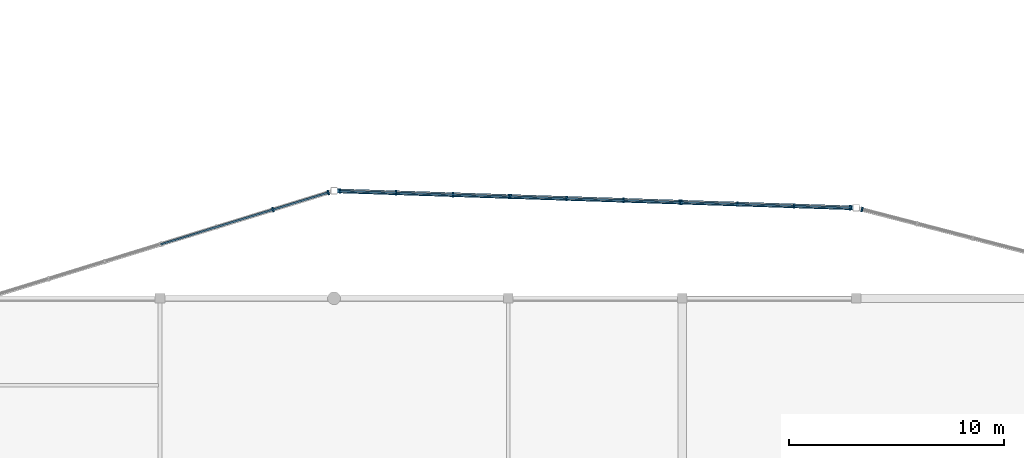
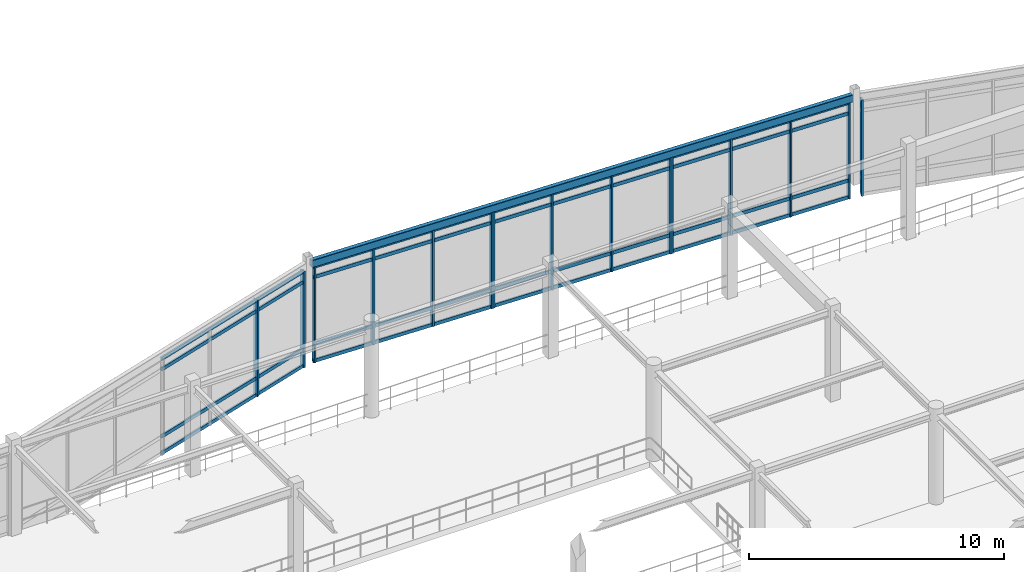
# One storey, part 30 of 93: 31 members, 1 beam, 5 elements without a shape of their own.
"""IFC4 building model written with IfcOpenShell, lengths in metres."""

import ifcopenshell
import ifcopenshell.guid

model = None  # the IFC model being written
_history = None  # IfcOwnerHistory: only IFC2X3 demands one
_inside = {}  # id of a spatial element -> (the spatial element, [elements in it])
_under = {}  # id of a project, library or spatial element -> (it, [spatial elements below it])
_declared = {}  # id of a project -> (the project, [libraries it declares])
_typed = {}  # id of a type object -> (the type object, [elements of that type])
_made_of = {}  # id of a material, layer set ... -> (it, [elements and type objects made of it])


def new_model(schema):
    """Start an empty IFC model of exactly this schema.

    Asked for "IFC4X3", IfcOpenShell would pick the latest addendum, in which some entities
    have other attributes; the version numbers below select the first issue.
    IFC2X3 requires an IfcOwnerHistory on every rooted entity: one is made here for all.
    """
    global model, _history
    if schema == "IFC4X3":
        model = ifcopenshell.file(schema_version=(4, 3, 0, 0))
    else:
        model = ifcopenshell.file(schema=schema)
    _inside.clear()
    _under.clear()
    _declared.clear()
    _typed.clear()
    _made_of.clear()
    _history = None
    if model.schema == "IFC2X3":
        org = make("IfcOrganization", Name="unknown")
        user = make(
            "IfcPersonAndOrganization",
            ThePerson=make("IfcPerson", FamilyName="unknown"),
            TheOrganization=org,
        )
        app = make(
            "IfcApplication",
            ApplicationDeveloper=org,
            Version="unknown",
            ApplicationFullName="unknown",
            ApplicationIdentifier="unknown",
        )
        _history = make(
            "IfcOwnerHistory",
            OwningUser=user,
            OwningApplication=app,
            ChangeAction="ADDED",
            CreationDate=0,
        )
    return model


def make(cls, **values):
    """One entity of the class cls with the attributes given. An attribute that is None is left unset."""
    return model.create_entity(
        cls, **{name: value for name, value in values.items() if value is not None}
    )


def rooted(cls, **values):
    """An entity with a GlobalId (a new one), such as an element, a storey or a relation."""
    return make(cls, GlobalId=ifcopenshell.guid.new(), OwnerHistory=_history, **values)


def si_unit(unit_type, name, prefix=None):
    """IfcSIUnit, for example si_unit("LENGTHUNIT", "METRE", prefix="MILLI")."""
    return make("IfcSIUnit", UnitType=unit_type, Prefix=prefix, Name=name)


def assignment(units):
    """IfcUnitAssignment: the units of a project."""
    return None if units is None else make("IfcUnitAssignment", Units=units)


def point(xyz):
    """IfcCartesianPoint."""
    return None if xyz is None else make("IfcCartesianPoint", Coordinates=xyz)


def direction(xyz):
    """IfcDirection."""
    return None if xyz is None else make("IfcDirection", DirectionRatios=xyz)


def frame(location, z_axis=None, x_axis=None):
    """IfcAxis2Placement3D, a coordinate frame: its origin and axes. An axis left out is left unset."""
    return make(
        "IfcAxis2Placement3D",
        Location=point(location),
        Axis=direction(z_axis),
        RefDirection=direction(x_axis),
    )


def frame_2d(location, x_axis=None):
    """IfcAxis2Placement2D, a coordinate frame in the plane: its origin and x axis."""
    return make(
        "IfcAxis2Placement2D", Location=point(location), RefDirection=direction(x_axis)
    )


def origin():
    """The frame at (0, 0, 0) with its axes left unset."""
    return frame((0.0, 0.0, 0.0))


def origin_2d():
    """The frame at (0, 0) in the plane with its x axis left unset."""
    return frame_2d((0.0, 0.0))


def place(relative_to, where):
    """IfcLocalPlacement: puts the frame where relative to a parent placement (None: the world)."""
    return make(
        "IfcLocalPlacement", PlacementRelTo=relative_to, RelativePlacement=where
    )


def context(
    kind, dimensions, precision=None, world=None, true_north=None, identifier=None
):
    """IfcGeometricRepresentationContext, for example the 3D "Model" context."""
    return make(
        "IfcGeometricRepresentationContext",
        ContextIdentifier=identifier,
        ContextType=kind,
        CoordinateSpaceDimension=dimensions,
        Precision=precision,
        WorldCoordinateSystem=world,
        TrueNorth=true_north,
    )


def subcontext(parent, identifier, kind, view, scale=None):
    """IfcGeometricRepresentationSubContext, for example "Body" below "Model"."""
    return make(
        "IfcGeometricRepresentationSubContext",
        ContextIdentifier=identifier,
        ContextType=kind,
        ParentContext=parent,
        TargetScale=scale,
        TargetView=view,
    )


def project(units=None, contexts=None):
    """IfcProject with its units and contexts."""
    return rooted(
        "IfcProject",
        Name="project",
        RepresentationContexts=contexts,
        UnitsInContext=assignment(units),
    )


def spatial(cls, under=None, at=None, **own):
    """A site, building, storey or space (cls), placed at a placement, below another one or the project."""
    s = rooted(cls, ObjectPlacement=at, **own)
    if under is not None:
        _under.setdefault(under.id(), (under, []))[1].append(s)
    return s


def profile(cls, at=None, kind="AREA", **sizes):
    """A parametric profile (cls). Its sizes go by their IFC names, for example OverallWidth=200.0."""
    return make(cls, ProfileType=kind, Position=at, **sizes)


def rectangle(**sizes):
    """IfcRectangleProfileDef."""
    return profile("IfcRectangleProfileDef", **sizes)


def hollow_rectangle(**sizes):
    """IfcRectangleHollowProfileDef."""
    return profile("IfcRectangleHollowProfileDef", **sizes)


def extrude(swept, where, along, depth):
    """IfcExtrudedAreaSolid: the profile swept, set in the frame where, extruded along a direction by depth."""
    return make(
        "IfcExtrudedAreaSolid",
        SweptArea=swept,
        Position=where,
        ExtrudedDirection=direction(along),
        Depth=depth,
    )


def shape(context_of_items, identifier, shape_type, items):
    """IfcShapeRepresentation: the items that make up one representation, for example the "Body"."""
    return make(
        "IfcShapeRepresentation",
        ContextOfItems=context_of_items,
        RepresentationIdentifier=identifier,
        RepresentationType=shape_type,
        Items=items,
    )


def material(Name=None, Category=None):
    """IfcMaterial."""
    return make("IfcMaterial", Name=Name, Category=Category)


def layer(
    of_material, thickness, ventilated=None, Name=None, Category=None, Priority=None
):
    """IfcMaterialLayer: one layer of a wall or slab, of a material (None: an air gap)."""
    return make(
        "IfcMaterialLayer",
        Material=of_material,
        LayerThickness=thickness,
        IsVentilated=ventilated,
        Name=Name,
        Category=Category,
        Priority=Priority,
    )


def layer_set(layers, Name=None):
    """IfcMaterialLayerSet."""
    return make("IfcMaterialLayerSet", MaterialLayers=layers, LayerSetName=Name)


def material_profile(
    of_material, cross_section, Name=None, Category=None, Priority=None
):
    """IfcMaterialProfile: a cross section and its material."""
    return make(
        "IfcMaterialProfile",
        Name=Name,
        Material=of_material,
        Profile=cross_section,
        Priority=Priority,
        Category=Category,
    )


def profile_set(profiles, Name=None, composite=None):
    """IfcMaterialProfileSet."""
    return make(
        "IfcMaterialProfileSet",
        Name=Name,
        MaterialProfiles=profiles,
        CompositeProfile=composite,
    )


def made_of(thing, what):
    """Note that an element or type object is made of a material, layer set ...; save() writes the relation."""
    if what is not None:
        _made_of.setdefault(what.id(), (what, []))[1].append(thing)
    return thing


def type_object(cls, material=None, **own):
    """A type object (cls), such as IfcWallType, which elements share."""
    return made_of(rooted(cls, **own), material)


def element(
    cls,
    number,
    at=None,
    inside=None,
    cuts=None,
    type_object=None,
    material=None,
    context=None,
    identifier="Body",
    shape_type=None,
    held_by="IfcProductDefinitionShape",
    body=None,
    shapes=None,
    **own,
):
    """One element of the class cls, such as IfcWall. Its Tag is "e" and its number.

    at: its placement. inside: the storey or other place that contains it. cuts: it is an
    opening in that element (IfcRelVoidsElement). A single representation is given by context,
    identifier, shape_type and body (its items); several are given by shapes. held_by: the class
    of the entity that holds the representations. save() writes the other relations.
    """
    e = rooted(cls, Tag="e%d" % number, ObjectPlacement=at, **own)
    if body is not None:
        shapes = [shape(context, identifier, shape_type, body)]
    if shapes is not None:
        e.Representation = make(held_by, Representations=shapes)
    if inside is not None:
        _inside.setdefault(inside.id(), (inside, []))[1].append(e)
    if cuts is not None:
        rooted(
            "IfcRelVoidsElement", RelatingBuildingElement=cuts, RelatedOpeningElement=e
        )
    if type_object is not None:
        _typed.setdefault(type_object.id(), (type_object, []))[1].append(e)
    return made_of(e, material)


def aggregate(whole, parts):
    """IfcRelAggregates: a whole, such as a stair, and the parts it consists of."""
    return rooted("IfcRelAggregates", RelatingObject=whole, RelatedObjects=parts)


def save(model, path):
    """Write the relations noted so far, then the file.

    IfcRelAggregates (storeys below a building ...), IfcRelContainedInSpatialStructure (elements
    in a storey), IfcRelDefinesByType, IfcRelAssociatesMaterial and IfcRelDeclares: one each for
    every whole, place, type object, material and project.
    """
    for whole, parts in _under.values():
        aggregate(whole, parts)
    for where, things in _inside.values():
        rooted(
            "IfcRelContainedInSpatialStructure",
            RelatedElements=things,
            RelatingStructure=where,
        )
    for kind, things in _typed.values():
        rooted("IfcRelDefinesByType", RelatedObjects=things, RelatingType=kind)
    for what, things in _made_of.values():
        rooted("IfcRelAssociatesMaterial", RelatedObjects=things, RelatingMaterial=what)
    for by, libraries in _declared.values():
        rooted("IfcRelDeclares", RelatingContext=by, RelatedDefinitions=libraries)
    model.write(path)


model = new_model("IFC4")

# Units and contexts
model_context = context("Model", 3, precision=1e-05, world=origin(), true_north=direction((0.0, 1.0)))
body_context = subcontext(model_context, "Body", "Model", "MODEL_VIEW")
ifc_project = project(units=[si_unit("LENGTHUNIT", "METRE"), si_unit("AREAUNIT", "SQUARE_METRE"), si_unit("VOLUMEUNIT", "CUBIC_METRE"), si_unit("PLANEANGLEUNIT", "RADIAN"), si_unit("MASSUNIT", "GRAM", prefix="KILO")], contexts=[model_context])

# Site, building, storey
site_placement = place(None, origin())
site = spatial("IfcSite", under=ifc_project, at=site_placement, CompositionType="ELEMENT")
building_placement = place(site_placement, origin())
building = spatial("IfcBuilding", under=site, at=building_placement, Name="Vaudrelin Polytechnic", CompositionType="ELEMENT")
storey_placement = place(building_placement, frame((0.0, 0.0, 5.10009765625)))
storey = spatial("IfcBuildingStorey", under=building, at=storey_placement, Name="L01", CompositionType="ELEMENT", Elevation=5.10009765625)

# Beam
ifc_material_1 = material(Name="Steel CSA G40.21 350WT", Category="steel")
ifc_material_profile_1 = material_profile(ifc_material_1, hollow_rectangle(XDim=0.202880859375, YDim=0.35595703125, WallThickness=0.0126953125, InnerFilletRadius=0.0126953125, OuterFilletRadius=0.025390625, at=origin_2d()), Name="HSS356x203x12.7")
ifc_profile_set_1 = profile_set([ifc_material_profile_1], Name="Steel CSA G40.21 350WT")
beam_type = type_object("IfcBeamType", Name="BM-SP-HSS35", PredefinedType="SPANDREL", material=ifc_profile_set_1)
beam_placement = place(storey_placement, frame((73.039794921875, 53.595458984375, 4.1318359375), z_axis=(0.999458543434, -0.032903190688, 0.0), x_axis=(0.032903190688, 0.999458543434, 0.0)))
element("IfcBeam", 1, at=beam_placement, inside=storey, type_object=beam_type, Name="Sculptural edge beam L01 CT_OR1_B2", PredefinedType="SPANDREL", context=body_context, shape_type="SweptSolid", body=[
    extrude(hollow_rectangle(XDim=0.202880859375, YDim=0.35595703125, WallThickness=0.0126953125, InnerFilletRadius=0.0126953125, OuterFilletRadius=0.025390625, at=origin_2d()), origin(), (0.0, 0.0, 1.0), 24.033203125),
])

# Curtain wall, members
ifc_material_2 = material(Name="Thermally broken anodised aluminium AA 6063-T6 and low-e triple glazing", Category="aluminium")
ifc_layer = layer(ifc_material_2, 0.199951171875)
ifc_layer_set = layer_set([ifc_layer], Name="Thermally broken anodised aluminium AA 6063-T6 and low-e triple glazing")
curtain_wall_type = type_object("IfcCurtainWallType", Name="CW-CW-WG", PredefinedType="USERDEFINED", material=ifc_layer_set)
curtain_wall_1_placement = place(storey_placement, origin())
curtain_wall_1 = element("IfcCurtainWall", 2, at=curtain_wall_1_placement, inside=storey, type_object=curtain_wall_type, Name="Curtain wall L01 CT_OR1_1_1", ObjectType="CURTAIN WALL", PredefinedType="USERDEFINED")
ifc_material_3 = material(Name="Anodised aluminium AA 6063-T6", Category="aluminium")
ifc_material_profile_2 = material_profile(ifc_material_3, rectangle(XDim=0.074951171875, YDim=0.219970703125, at=origin_2d()), Name="CWM-75x220")
ifc_profile_set_2 = profile_set([ifc_material_profile_2], Name="Anodised aluminium AA 6063-T6")
member_type_1 = type_object("IfcMemberType", Name="MEM-CWM-220", PredefinedType="MULLION", material=ifc_profile_set_2)
member_1_placement = place(storey_placement, frame((70.056396484375, 52.722412109375, -0.630126953125), z_axis=(0.0, 0.0, 1.0), x_axis=(0.955522441596, 0.294918401608, 0.0)))
member_1 = element("IfcMember", 3, at=member_1_placement, type_object=member_type_1, Name="CT_OR1_1_1 mullion 3", PredefinedType="MULLION", context=body_context, shape_type="SweptSolid", body=[
    extrude(rectangle(XDim=0.074951171875, YDim=0.219970703125, at=origin_2d()), origin(), (0.0, 0.0, 1.0), 4.610107421875),
])
member_2_placement = place(storey_placement, frame((72.628173828125, 53.51611328125, -0.630126953125), z_axis=(0.0, 0.0, 1.0), x_axis=(0.955522441596, 0.294918401608, 0.0)))
member_2 = element("IfcMember", 4, at=member_2_placement, type_object=member_type_1, Name="CT_OR1_1_1 mullion 4", PredefinedType="MULLION", context=body_context, shape_type="SweptSolid", body=[
    extrude(rectangle(XDim=0.074951171875, YDim=0.219970703125, at=origin_2d()), origin(), (0.0, 0.0, 1.0), 4.610107421875),
])

curtain_wall_2_placement = place(storey_placement, origin())
curtain_wall_2 = element("IfcCurtainWall", 5, at=curtain_wall_2_placement, inside=storey, type_object=curtain_wall_type, Name="Curtain wall L01 CT_OR1_2_0", ObjectType="CURTAIN WALL", PredefinedType="USERDEFINED")
member_3_placement = place(storey_placement, frame((73.177490234375, 53.5908203125, -0.630126953125), z_axis=(0.0, 0.0, 1.0), x_axis=(0.999458331652, -0.032909623096, 0.0)))
member_3 = element("IfcMember", 6, at=member_3_placement, type_object=member_type_1, Name="CT_OR1_2_0 mullion 1", PredefinedType="MULLION", context=body_context, shape_type="SweptSolid", body=[
    extrude(rectangle(XDim=0.074951171875, YDim=0.219970703125, at=origin_2d()), origin(), (0.0, 0.0, 1.0), 4.610107421875),
])
member_4_placement = place(storey_placement, frame((75.78466796875, 53.5048828125, -0.630126953125), z_axis=(0.0, 0.0, 1.0), x_axis=(0.999458331652, -0.032909623096, 0.0)))
member_4 = element("IfcMember", 7, at=member_4_placement, type_object=member_type_1, Name="CT_OR1_2_0 mullion 2", PredefinedType="MULLION", context=body_context, shape_type="SweptSolid", body=[
    extrude(rectangle(XDim=0.074951171875, YDim=0.219970703125, at=origin_2d()), origin(), (0.0, 0.0, 1.0), 4.610107421875),
])
member_5_placement = place(storey_placement, frame((78.431884765625, 53.41796875, -0.630126953125), z_axis=(0.0, 0.0, 1.0), x_axis=(0.999458331652, -0.032909623096, 0.0)))
member_5 = element("IfcMember", 8, at=member_5_placement, type_object=member_type_1, Name="CT_OR1_2_0 mullion 3", PredefinedType="MULLION", context=body_context, shape_type="SweptSolid", body=[
    extrude(rectangle(XDim=0.074951171875, YDim=0.219970703125, at=origin_2d()), origin(), (0.0, 0.0, 1.0), 4.610107421875),
])
member_6_placement = place(storey_placement, frame((81.039306640625, 53.33203125, -0.630126953125), z_axis=(0.0, 0.0, 1.0), x_axis=(0.999458331652, -0.032909623096, 0.0)))
member_6 = element("IfcMember", 9, at=member_6_placement, type_object=member_type_1, Name="CT_OR1_2_0 mullion 4", PredefinedType="MULLION", context=body_context, shape_type="SweptSolid", body=[
    extrude(rectangle(XDim=0.074951171875, YDim=0.219970703125, at=origin_2d()), origin(), (0.0, 0.0, 1.0), 4.610107421875),
])

curtain_wall_3_placement = place(storey_placement, origin())
curtain_wall_3 = element("IfcCurtainWall", 10, at=curtain_wall_3_placement, inside=storey, type_object=curtain_wall_type, Name="Curtain wall L01 CT_OR1_2_1", ObjectType="CURTAIN WALL", PredefinedType="USERDEFINED")
member_7_placement = place(storey_placement, frame((81.119140625, 53.329345703125, -0.630126953125), z_axis=(0.0, 0.0, 1.0), x_axis=(0.999458731894, -0.032897465558, 0.0)))
member_7 = element("IfcMember", 11, at=member_7_placement, type_object=member_type_1, Name="CT_OR1_2_1 mullion 1", PredefinedType="MULLION", context=body_context, shape_type="SweptSolid", body=[
    extrude(rectangle(XDim=0.074951171875, YDim=0.219970703125, at=origin_2d()), origin(), (0.0, 0.0, 1.0), 4.610107421875),
])
member_8_placement = place(storey_placement, frame((83.726318359375, 53.24365234375, -0.630126953125), z_axis=(0.0, 0.0, 1.0), x_axis=(0.999458731894, -0.032897465558, 0.0)))
member_8 = element("IfcMember", 12, at=member_8_placement, type_object=member_type_1, Name="CT_OR1_2_1 mullion 2", PredefinedType="MULLION", context=body_context, shape_type="SweptSolid", body=[
    extrude(rectangle(XDim=0.074951171875, YDim=0.219970703125, at=origin_2d()), origin(), (0.0, 0.0, 1.0), 4.610107421875),
])
member_9_placement = place(storey_placement, frame((86.37353515625, 53.156494140625, -0.630126953125), z_axis=(0.0, 0.0, 1.0), x_axis=(0.999458731894, -0.032897465558, 0.0)))
member_9 = element("IfcMember", 13, at=member_9_placement, type_object=member_type_1, Name="CT_OR1_2_1 mullion 3", PredefinedType="MULLION", context=body_context, shape_type="SweptSolid", body=[
    extrude(rectangle(XDim=0.074951171875, YDim=0.219970703125, at=origin_2d()), origin(), (0.0, 0.0, 1.0), 4.610107421875),
])
member_10_placement = place(storey_placement, frame((88.980712890625, 53.070556640625, -0.630126953125), z_axis=(0.0, 0.0, 1.0), x_axis=(0.999458731894, -0.032897465558, 0.0)))
member_10 = element("IfcMember", 14, at=member_10_placement, type_object=member_type_1, Name="CT_OR1_2_1 mullion 4", PredefinedType="MULLION", context=body_context, shape_type="SweptSolid", body=[
    extrude(rectangle(XDim=0.074951171875, YDim=0.219970703125, at=origin_2d()), origin(), (0.0, 0.0, 1.0), 4.610107421875),
])

curtain_wall_4_placement = place(storey_placement, origin())
curtain_wall_4 = element("IfcCurtainWall", 15, at=curtain_wall_4_placement, inside=storey, type_object=curtain_wall_type, Name="Curtain wall L01 CT_OR1_2_2", ObjectType="CURTAIN WALL", PredefinedType="USERDEFINED")
member_11_placement = place(storey_placement, frame((89.060791015625, 53.068115234375, -0.630126953125), z_axis=(0.0, 0.0, 1.0), x_axis=(0.999458331652, -0.032909623096, 0.0)))
member_11 = element("IfcMember", 16, at=member_11_placement, type_object=member_type_1, Name="CT_OR1_2_2 mullion 1", PredefinedType="MULLION", context=body_context, shape_type="SweptSolid", body=[
    extrude(rectangle(XDim=0.074951171875, YDim=0.219970703125, at=origin_2d()), origin(), (0.0, 0.0, 1.0), 4.610107421875),
])
member_12_placement = place(storey_placement, frame((91.66796875, 52.982177734375, -0.630126953125), z_axis=(0.0, 0.0, 1.0), x_axis=(0.999458331652, -0.032909623096, 0.0)))
member_12 = element("IfcMember", 17, at=member_12_placement, type_object=member_type_1, Name="CT_OR1_2_2 mullion 2", PredefinedType="MULLION", context=body_context, shape_type="SweptSolid", body=[
    extrude(rectangle(XDim=0.074951171875, YDim=0.219970703125, at=origin_2d()), origin(), (0.0, 0.0, 1.0), 4.610107421875),
])
member_13_placement = place(storey_placement, frame((94.315185546875, 52.89501953125, -0.630126953125), z_axis=(0.0, 0.0, 1.0), x_axis=(0.999458331652, -0.032909623096, 0.0)))
member_13 = element("IfcMember", 18, at=member_13_placement, type_object=member_type_1, Name="CT_OR1_2_2 mullion 3", PredefinedType="MULLION", context=body_context, shape_type="SweptSolid", body=[
    extrude(rectangle(XDim=0.074951171875, YDim=0.219970703125, at=origin_2d()), origin(), (0.0, 0.0, 1.0), 4.610107421875),
])
member_14_placement = place(storey_placement, frame((96.922607421875, 52.80908203125, -0.630126953125), z_axis=(0.0, 0.0, 1.0), x_axis=(0.999458331652, -0.032909623096, 0.0)))
member_14 = element("IfcMember", 19, at=member_14_placement, type_object=member_type_1, Name="CT_OR1_2_2 mullion 4", PredefinedType="MULLION", context=body_context, shape_type="SweptSolid", body=[
    extrude(rectangle(XDim=0.074951171875, YDim=0.219970703125, at=origin_2d()), origin(), (0.0, 0.0, 1.0), 4.610107421875),
])

# Curtain wall, member
curtain_wall_5_placement = place(storey_placement, origin())
curtain_wall_5 = element("IfcCurtainWall", 20, at=curtain_wall_5_placement, inside=storey, type_object=curtain_wall_type, Name="Curtain wall L01 CT_OR1_3_0", ObjectType="CURTAIN WALL", PredefinedType="USERDEFINED")
member_15_placement = place(storey_placement, frame((97.473388671875, 52.72900390625, -0.630126953125), z_axis=(0.0, 0.0, 1.0), x_axis=(0.967996674598, -0.250963021115, 0.0)))
member_15 = element("IfcMember", 21, at=member_15_placement, type_object=member_type_1, Name="CT_OR1_3_0 mullion 1", PredefinedType="MULLION", context=body_context, shape_type="SweptSolid", body=[
    extrude(rectangle(XDim=0.074951171875, YDim=0.219970703125, at=origin_2d()), origin(), (0.0, 0.0, 1.0), 4.610107421875),
])
aggregate(curtain_wall_5, [member_15])

# Member
ifc_material_profile_3 = material_profile(ifc_material_3, rectangle(XDim=0.074951171875, YDim=0.1650390625, at=origin_2d()), Name="CWT-75x165")
ifc_profile_set_3 = profile_set([ifc_material_profile_3], Name="Anodised aluminium AA 6063-T6")
member_type_2 = type_object("IfcMemberType", Name="MEM-CWT-165", PredefinedType="USERDEFINED", material=ifc_profile_set_3)
member_16_placement = place(storey_placement, frame((64.836181640625, 51.111083984375, -0.580078125), z_axis=(0.955521618533, 0.29492106828, 0.0), x_axis=(-0.29492106828, 0.955521618533, 0.0)))
member_16 = element("IfcMember", 22, at=member_16_placement, type_object=member_type_2, Name="CT_OR1_1_1 transom 1", ObjectType="TRANSOM", PredefinedType="USERDEFINED", context=body_context, shape_type="SweptSolid", body=[
    extrude(rectangle(XDim=0.074951171875, YDim=0.1650390625, at=origin_2d()), origin(), (0.0, 0.0, 1.0), 8.194580078125),
])

member_17_placement = place(storey_placement, frame((64.836181640625, 51.111083984375, 0.219970703125), z_axis=(0.955521618533, 0.29492106828, 0.0), x_axis=(-0.29492106828, 0.955521618533, 0.0)))
member_17 = element("IfcMember", 23, at=member_17_placement, type_object=member_type_2, Name="CT_OR1_1_1 transom 2", ObjectType="TRANSOM", PredefinedType="USERDEFINED", context=body_context, shape_type="SweptSolid", body=[
    extrude(rectangle(XDim=0.074951171875, YDim=0.1650390625, at=origin_2d()), origin(), (0.0, 0.0, 1.0), 8.194580078125),
])

member_18_placement = place(storey_placement, frame((64.836181640625, 51.111083984375, 3.429931640625), z_axis=(0.955521618533, 0.29492106828, 0.0), x_axis=(-0.29492106828, 0.955521618533, 0.0)))
member_18 = element("IfcMember", 24, at=member_18_placement, type_object=member_type_2, Name="CT_OR1_1_1 transom 3", ObjectType="TRANSOM", PredefinedType="USERDEFINED", context=body_context, shape_type="SweptSolid", body=[
    extrude(rectangle(XDim=0.074951171875, YDim=0.1650390625, at=origin_2d()), origin(), (0.0, 0.0, 1.0), 8.194580078125),
])

member_19_placement = place(storey_placement, frame((64.836181640625, 51.111083984375, 3.929931640625), z_axis=(0.955521618533, 0.29492106828, 0.0), x_axis=(-0.29492106828, 0.955521618533, 0.0)))
member_19 = element("IfcMember", 25, at=member_19_placement, type_object=member_type_2, Name="CT_OR1_1_1 transom 4", ObjectType="TRANSOM", PredefinedType="USERDEFINED", context=body_context, shape_type="SweptSolid", body=[
    extrude(rectangle(XDim=0.074951171875, YDim=0.1650390625, at=origin_2d()), origin(), (0.0, 0.0, 1.0), 8.194580078125),
])

aggregate(curtain_wall_1, [member_1, member_2, member_16, member_17, member_18, member_19])

member_20_placement = place(storey_placement, frame((73.137451171875, 53.59228515625, -0.580078125), z_axis=(0.999458429988, -0.032906636494, 0.0), x_axis=(0.032906636494, 0.999458429988, 0.0)))
member_20 = element("IfcMember", 26, at=member_20_placement, type_object=member_type_2, Name="CT_OR1_2_0 transom 1", ObjectType="TRANSOM", PredefinedType="USERDEFINED", context=body_context, shape_type="SweptSolid", body=[
    extrude(rectangle(XDim=0.074951171875, YDim=0.1650390625, at=origin_2d()), origin(), (0.0, 0.0, 1.0), 7.946044921875),
])

member_21_placement = place(storey_placement, frame((73.137451171875, 53.59228515625, 0.219970703125), z_axis=(0.999458429988, -0.032906636494, 0.0), x_axis=(0.032906636494, 0.999458429988, 0.0)))
member_21 = element("IfcMember", 27, at=member_21_placement, type_object=member_type_2, Name="CT_OR1_2_0 transom 2", ObjectType="TRANSOM", PredefinedType="USERDEFINED", context=body_context, shape_type="SweptSolid", body=[
    extrude(rectangle(XDim=0.074951171875, YDim=0.1650390625, at=origin_2d()), origin(), (0.0, 0.0, 1.0), 7.946044921875),
])

member_22_placement = place(storey_placement, frame((73.137451171875, 53.59228515625, 3.429931640625), z_axis=(0.999458429988, -0.032906636494, 0.0), x_axis=(0.032906636494, 0.999458429988, 0.0)))
member_22 = element("IfcMember", 28, at=member_22_placement, type_object=member_type_2, Name="CT_OR1_2_0 transom 3", ObjectType="TRANSOM", PredefinedType="USERDEFINED", context=body_context, shape_type="SweptSolid", body=[
    extrude(rectangle(XDim=0.074951171875, YDim=0.1650390625, at=origin_2d()), origin(), (0.0, 0.0, 1.0), 7.946044921875),
])

member_23_placement = place(storey_placement, frame((73.137451171875, 53.59228515625, 3.929931640625), z_axis=(0.999458429988, -0.032906636494, 0.0), x_axis=(0.032906636494, 0.999458429988, 0.0)))
member_23 = element("IfcMember", 29, at=member_23_placement, type_object=member_type_2, Name="CT_OR1_2_0 transom 4", ObjectType="TRANSOM", PredefinedType="USERDEFINED", context=body_context, shape_type="SweptSolid", body=[
    extrude(rectangle(XDim=0.074951171875, YDim=0.1650390625, at=origin_2d()), origin(), (0.0, 0.0, 1.0), 7.946044921875),
])

aggregate(curtain_wall_2, [member_3, member_4, member_5, member_6, member_20, member_21, member_22, member_23])

member_24_placement = place(storey_placement, frame((81.0791015625, 53.330810546875, -0.580078125), z_axis=(0.999458429988, -0.032906636494, 0.0), x_axis=(0.032906636494, 0.999458429988, 0.0)))
member_24 = element("IfcMember", 30, at=member_24_placement, type_object=member_type_2, Name="CT_OR1_2_1 transom 1", ObjectType="TRANSOM", PredefinedType="USERDEFINED", context=body_context, shape_type="SweptSolid", body=[
    extrude(rectangle(XDim=0.074951171875, YDim=0.1650390625, at=origin_2d()), origin(), (0.0, 0.0, 1.0), 7.946044921875),
])

member_25_placement = place(storey_placement, frame((81.0791015625, 53.330810546875, 0.219970703125), z_axis=(0.999458429988, -0.032906636494, 0.0), x_axis=(0.032906636494, 0.999458429988, 0.0)))
member_25 = element("IfcMember", 31, at=member_25_placement, type_object=member_type_2, Name="CT_OR1_2_1 transom 2", ObjectType="TRANSOM", PredefinedType="USERDEFINED", context=body_context, shape_type="SweptSolid", body=[
    extrude(rectangle(XDim=0.074951171875, YDim=0.1650390625, at=origin_2d()), origin(), (0.0, 0.0, 1.0), 7.946044921875),
])

member_26_placement = place(storey_placement, frame((81.0791015625, 53.330810546875, 3.429931640625), z_axis=(0.999458429988, -0.032906636494, 0.0), x_axis=(0.032906636494, 0.999458429988, 0.0)))
member_26 = element("IfcMember", 32, at=member_26_placement, type_object=member_type_2, Name="CT_OR1_2_1 transom 3", ObjectType="TRANSOM", PredefinedType="USERDEFINED", context=body_context, shape_type="SweptSolid", body=[
    extrude(rectangle(XDim=0.074951171875, YDim=0.1650390625, at=origin_2d()), origin(), (0.0, 0.0, 1.0), 7.946044921875),
])

member_27_placement = place(storey_placement, frame((81.0791015625, 53.330810546875, 3.929931640625), z_axis=(0.999458429988, -0.032906636494, 0.0), x_axis=(0.032906636494, 0.999458429988, 0.0)))
member_27 = element("IfcMember", 33, at=member_27_placement, type_object=member_type_2, Name="CT_OR1_2_1 transom 4", ObjectType="TRANSOM", PredefinedType="USERDEFINED", context=body_context, shape_type="SweptSolid", body=[
    extrude(rectangle(XDim=0.074951171875, YDim=0.1650390625, at=origin_2d()), origin(), (0.0, 0.0, 1.0), 7.946044921875),
])

aggregate(curtain_wall_3, [member_7, member_8, member_9, member_10, member_24, member_25, member_26, member_27])

member_28_placement = place(storey_placement, frame((89.020751953125, 53.0693359375, -0.580078125), z_axis=(0.999458429988, -0.032906636494, 0.0), x_axis=(0.032906636494, 0.999458429988, 0.0)))
member_28 = element("IfcMember", 34, at=member_28_placement, type_object=member_type_2, Name="CT_OR1_2_2 transom 1", ObjectType="TRANSOM", PredefinedType="USERDEFINED", context=body_context, shape_type="SweptSolid", body=[
    extrude(rectangle(XDim=0.074951171875, YDim=0.1650390625, at=origin_2d()), origin(), (0.0, 0.0, 1.0), 7.946044921875),
])

member_29_placement = place(storey_placement, frame((89.020751953125, 53.0693359375, 0.219970703125), z_axis=(0.999458429988, -0.032906636494, 0.0), x_axis=(0.032906636494, 0.999458429988, 0.0)))
member_29 = element("IfcMember", 35, at=member_29_placement, type_object=member_type_2, Name="CT_OR1_2_2 transom 2", ObjectType="TRANSOM", PredefinedType="USERDEFINED", context=body_context, shape_type="SweptSolid", body=[
    extrude(rectangle(XDim=0.074951171875, YDim=0.1650390625, at=origin_2d()), origin(), (0.0, 0.0, 1.0), 7.946044921875),
])

member_30_placement = place(storey_placement, frame((89.020751953125, 53.0693359375, 3.429931640625), z_axis=(0.999458429988, -0.032906636494, 0.0), x_axis=(0.032906636494, 0.999458429988, 0.0)))
member_30 = element("IfcMember", 36, at=member_30_placement, type_object=member_type_2, Name="CT_OR1_2_2 transom 3", ObjectType="TRANSOM", PredefinedType="USERDEFINED", context=body_context, shape_type="SweptSolid", body=[
    extrude(rectangle(XDim=0.074951171875, YDim=0.1650390625, at=origin_2d()), origin(), (0.0, 0.0, 1.0), 7.946044921875),
])

member_31_placement = place(storey_placement, frame((89.020751953125, 53.0693359375, 3.929931640625), z_axis=(0.999458429988, -0.032906636494, 0.0), x_axis=(0.032906636494, 0.999458429988, 0.0)))
member_31 = element("IfcMember", 37, at=member_31_placement, type_object=member_type_2, Name="CT_OR1_2_2 transom 4", ObjectType="TRANSOM", PredefinedType="USERDEFINED", context=body_context, shape_type="SweptSolid", body=[
    extrude(rectangle(XDim=0.074951171875, YDim=0.1650390625, at=origin_2d()), origin(), (0.0, 0.0, 1.0), 7.946044921875),
])

aggregate(curtain_wall_4, [member_11, member_12, member_13, member_14, member_28, member_29, member_30, member_31])

save(model, "model.ifc")
